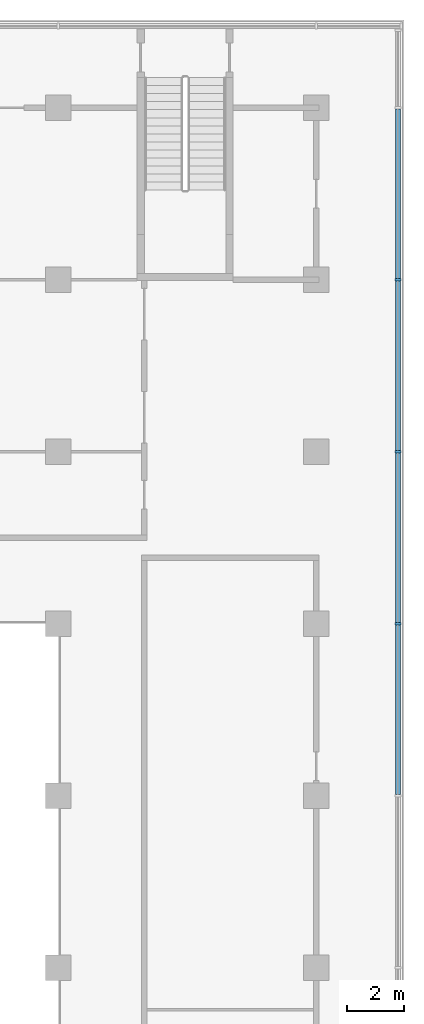
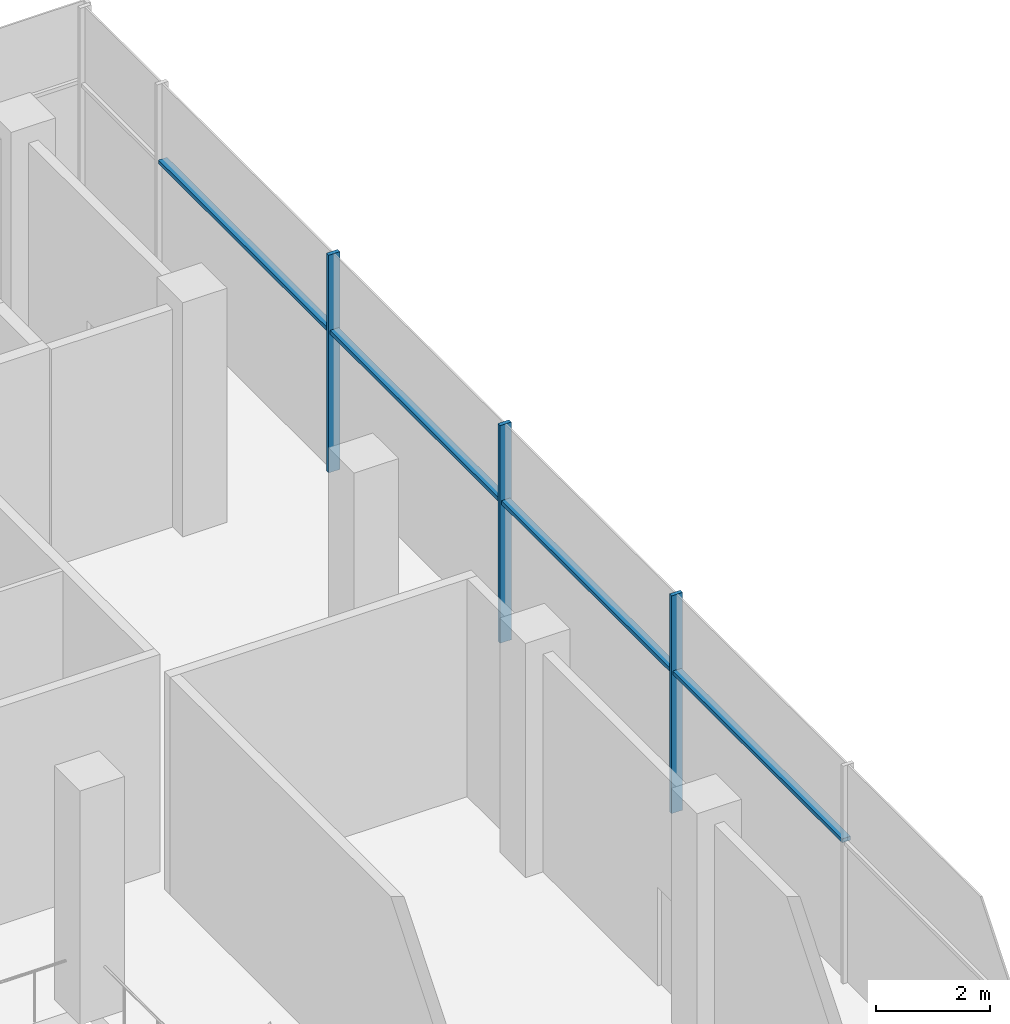
# One storey, part 6 of 22: 7 members, 1 element without a shape of its own.
"""IFC4 building model written with IfcOpenShell, lengths in metres."""

from ifc_helpers import new_model, si_unit, direction, frame, origin, origin_2d, place, context, subcontext, project, spatial, rectangle, extrude, material, material_profile, profile_set, type_object, element, aggregate, save


model = new_model("IFC4")

# Units and contexts
model_context = context("Model", 3, precision=1e-05, world=origin(), true_north=direction((0.0, 1.0)))
body_context = subcontext(model_context, "Body", "Model", "MODEL_VIEW")
ifc_project = project(units=[si_unit("LENGTHUNIT", "METRE"), si_unit("AREAUNIT", "SQUARE_METRE"), si_unit("VOLUMEUNIT", "CUBIC_METRE"), si_unit("PLANEANGLEUNIT", "RADIAN"), si_unit("MASSUNIT", "GRAM", prefix="KILO")], contexts=[model_context])

# Site, building, storey
site_placement = place(None, origin())
site = spatial("IfcSite", under=ifc_project, at=site_placement, CompositionType="ELEMENT")
building_placement = place(site_placement, origin())
building = spatial("IfcBuilding", under=site, at=building_placement, Name="Finial Court Residences", CompositionType="ELEMENT")
storey_placement = place(building_placement, frame((0.0, 0.0, 18.5)))
storey = spatial("IfcBuildingStorey", under=building, at=storey_placement, Name="L03", CompositionType="ELEMENT", Elevation=18.5)

# Curtain wall, members
ifc_material = material(Name="Bronze anodised aluminium", Category="aluminium")
curtain_wall_type = type_object("IfcCurtainWallType", Name="Podium curtain wall", PredefinedType="NOTDEFINED", material=ifc_material)
curtain_wall_placement = place(storey_placement, origin())
curtain_wall = element("IfcCurtainWall", 1, at=curtain_wall_placement, inside=storey, type_object=curtain_wall_type, Name="E-L03-CW-E2", PredefinedType="NOTDEFINED")
ifc_material_profile_1 = material_profile(ifc_material, rectangle(XDim=0.22509765625, YDim=0.080078125, at=origin_2d()), Name="CW5 mullion 80 x 225")
ifc_profile_set_1 = profile_set([ifc_material_profile_1], Name="Bronze anodised aluminium")
member_type_1 = type_object("IfcMemberType", Name="CW5 mullion 80 x 225", PredefinedType="MULLION", material=ifc_profile_set_1)
member_1_placement = place(storey_placement, frame((61.35009765625, 13.5, 0.0), z_axis=(0.0, 0.0, 1.0), x_axis=(-1.0, 0.0, 0.0)))
member_1 = element("IfcMember", 2, at=member_1_placement, type_object=member_type_1, Name="CW5 mullion 8", PredefinedType="MULLION", context=body_context, shape_type="SweptSolid", body=[
    extrude(rectangle(XDim=0.22509765625, YDim=0.080078125, at=origin_2d()), origin(), (0.0, 0.0, 1.0), 4.64990234375),
])
member_2_placement = place(storey_placement, frame((61.35009765625, 19.5, 0.0), z_axis=(0.0, 0.0, 1.0), x_axis=(-1.0, 0.0, 0.0)))
member_2 = element("IfcMember", 3, at=member_2_placement, type_object=member_type_1, Name="CW5 mullion 9", PredefinedType="MULLION", context=body_context, shape_type="SweptSolid", body=[
    extrude(rectangle(XDim=0.22509765625, YDim=0.080078125, at=origin_2d()), origin(), (0.0, 0.0, 1.0), 4.64990234375),
])
member_3_placement = place(storey_placement, frame((61.35009765625, 25.5, 0.0), z_axis=(0.0, 0.0, 1.0), x_axis=(-1.0, 0.0, 0.0)))
member_3 = element("IfcMember", 4, at=member_3_placement, type_object=member_type_1, Name="CW5 mullion 10", PredefinedType="MULLION", context=body_context, shape_type="SweptSolid", body=[
    extrude(rectangle(XDim=0.22509765625, YDim=0.080078125, at=origin_2d()), origin(), (0.0, 0.0, 1.0), 4.64990234375),
])
ifc_material_profile_2 = material_profile(ifc_material, rectangle(XDim=0.175048828125, YDim=0.080078125, at=origin_2d()), Name="CW5 transom 80 x 175")
ifc_profile_set_2 = profile_set([ifc_material_profile_2], Name="Bronze anodised aluminium")
member_type_2 = type_object("IfcMemberType", Name="CW5 transom 80 x 175", PredefinedType="USERDEFINED", material=ifc_profile_set_2)
member_4_placement = place(storey_placement, frame((61.35009765625, 7.5400390625, 3.0), z_axis=(0.0, 1.0, 0.0), x_axis=(-1.0, 0.0, 0.0)))
member_4 = element("IfcMember", 5, at=member_4_placement, type_object=member_type_2, Name="CW5 transom 7.1", ObjectType="TRANSOM", PredefinedType="USERDEFINED", context=body_context, shape_type="SweptSolid", body=[
    extrude(rectangle(XDim=0.175048828125, YDim=0.080078125, at=origin_2d()), origin(), (0.0, 0.0, 1.0), 5.919921875),
])
member_5_placement = place(storey_placement, frame((61.35009765625, 13.5400390625, 3.0), z_axis=(0.0, 1.0, 0.0), x_axis=(-1.0, 0.0, 0.0)))
member_5 = element("IfcMember", 6, at=member_5_placement, type_object=member_type_2, Name="CW5 transom 8.1", ObjectType="TRANSOM", PredefinedType="USERDEFINED", context=body_context, shape_type="SweptSolid", body=[
    extrude(rectangle(XDim=0.175048828125, YDim=0.080078125, at=origin_2d()), origin(), (0.0, 0.0, 1.0), 5.919921875),
])
member_6_placement = place(storey_placement, frame((61.35009765625, 19.5400390625, 3.0), z_axis=(0.0, 1.0, 0.0), x_axis=(-1.0, 0.0, 0.0)))
member_6 = element("IfcMember", 7, at=member_6_placement, type_object=member_type_2, Name="CW5 transom 9.1", ObjectType="TRANSOM", PredefinedType="USERDEFINED", context=body_context, shape_type="SweptSolid", body=[
    extrude(rectangle(XDim=0.175048828125, YDim=0.080078125, at=origin_2d()), origin(), (0.0, 0.0, 1.0), 5.919921875),
])
member_7_placement = place(storey_placement, frame((61.35009765625, 25.5400390625, 3.0), z_axis=(0.0, 1.0, 0.0), x_axis=(-1.0, 0.0, 0.0)))
member_7 = element("IfcMember", 8, at=member_7_placement, type_object=member_type_2, Name="CW5 transom 10.1", ObjectType="TRANSOM", PredefinedType="USERDEFINED", context=body_context, shape_type="SweptSolid", body=[
    extrude(rectangle(XDim=0.175048828125, YDim=0.080078125, at=origin_2d()), origin(), (0.0, 0.0, 1.0), 5.919921875),
])
aggregate(curtain_wall, [member_1, member_2, member_3, member_4, member_5, member_6, member_7])

save(model, "model.ifc")
